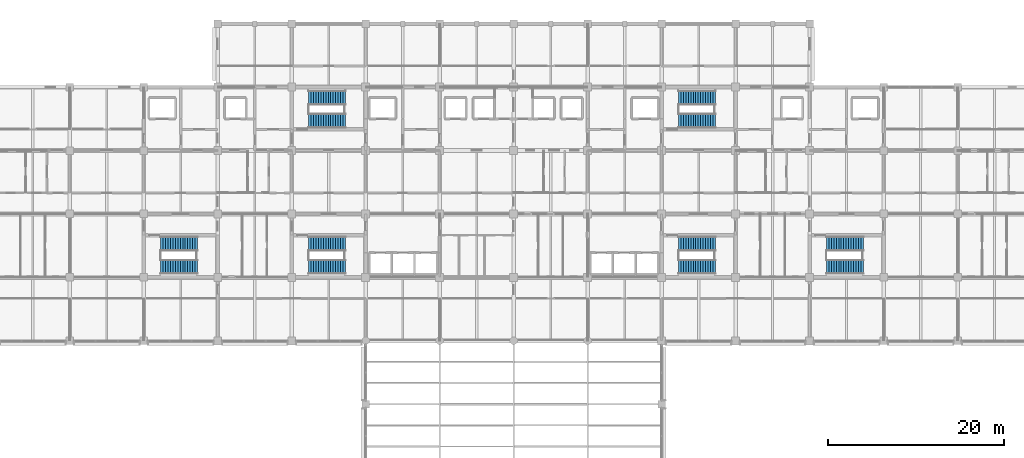
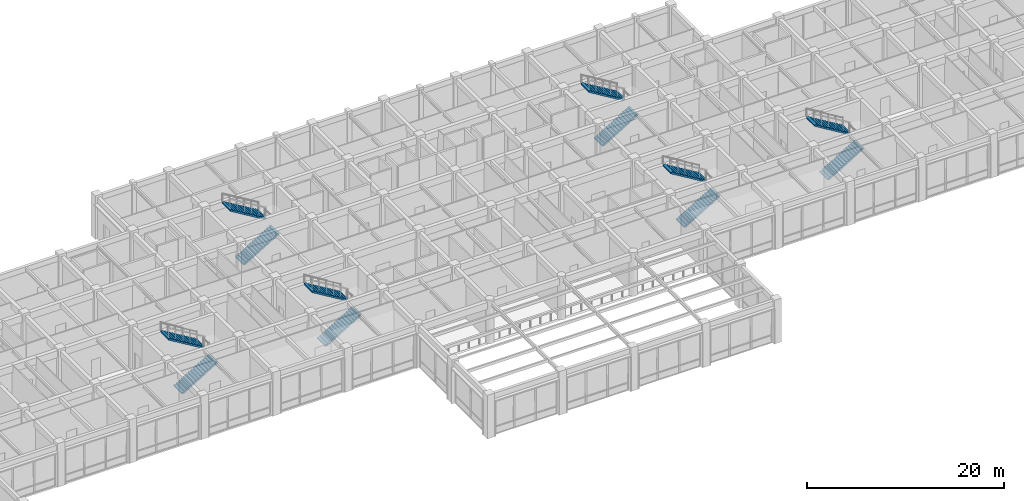
# One storey, part 51 of 58: 12 stair flights, 6 elements without a shape of their own.
"""IFC4 building model written with IfcOpenShell, lengths in metres."""

import ifcopenshell
import ifcopenshell.guid

model = None  # the IFC model being written
_history = None  # IfcOwnerHistory: only IFC2X3 demands one
_inside = {}  # id of a spatial element -> (the spatial element, [elements in it])
_under = {}  # id of a project, library or spatial element -> (it, [spatial elements below it])
_declared = {}  # id of a project -> (the project, [libraries it declares])
_typed = {}  # id of a type object -> (the type object, [elements of that type])
_made_of = {}  # id of a material, layer set ... -> (it, [elements and type objects made of it])


def new_model(schema):
    """Start an empty IFC model of exactly this schema.

    Asked for "IFC4X3", IfcOpenShell would pick the latest addendum, in which some entities
    have other attributes; the version numbers below select the first issue.
    IFC2X3 requires an IfcOwnerHistory on every rooted entity: one is made here for all.
    """
    global model, _history
    if schema == "IFC4X3":
        model = ifcopenshell.file(schema_version=(4, 3, 0, 0))
    else:
        model = ifcopenshell.file(schema=schema)
    _inside.clear()
    _under.clear()
    _declared.clear()
    _typed.clear()
    _made_of.clear()
    _history = None
    if model.schema == "IFC2X3":
        org = make("IfcOrganization", Name="unknown")
        user = make(
            "IfcPersonAndOrganization",
            ThePerson=make("IfcPerson", FamilyName="unknown"),
            TheOrganization=org,
        )
        app = make(
            "IfcApplication",
            ApplicationDeveloper=org,
            Version="unknown",
            ApplicationFullName="unknown",
            ApplicationIdentifier="unknown",
        )
        _history = make(
            "IfcOwnerHistory",
            OwningUser=user,
            OwningApplication=app,
            ChangeAction="ADDED",
            CreationDate=0,
        )
    return model


def make(cls, **values):
    """One entity of the class cls with the attributes given. An attribute that is None is left unset."""
    return model.create_entity(
        cls, **{name: value for name, value in values.items() if value is not None}
    )


def rooted(cls, **values):
    """An entity with a GlobalId (a new one), such as an element, a storey or a relation."""
    return make(cls, GlobalId=ifcopenshell.guid.new(), OwnerHistory=_history, **values)


def si_unit(unit_type, name, prefix=None):
    """IfcSIUnit, for example si_unit("LENGTHUNIT", "METRE", prefix="MILLI")."""
    return make("IfcSIUnit", UnitType=unit_type, Prefix=prefix, Name=name)


def assignment(units):
    """IfcUnitAssignment: the units of a project."""
    return None if units is None else make("IfcUnitAssignment", Units=units)


def point(xyz):
    """IfcCartesianPoint."""
    return None if xyz is None else make("IfcCartesianPoint", Coordinates=xyz)


def direction(xyz):
    """IfcDirection."""
    return None if xyz is None else make("IfcDirection", DirectionRatios=xyz)


def frame(location, z_axis=None, x_axis=None):
    """IfcAxis2Placement3D, a coordinate frame: its origin and axes. An axis left out is left unset."""
    return make(
        "IfcAxis2Placement3D",
        Location=point(location),
        Axis=direction(z_axis),
        RefDirection=direction(x_axis),
    )


def origin():
    """The frame at (0, 0, 0) with its axes left unset."""
    return frame((0.0, 0.0, 0.0))


def place(relative_to, where):
    """IfcLocalPlacement: puts the frame where relative to a parent placement (None: the world)."""
    return make(
        "IfcLocalPlacement", PlacementRelTo=relative_to, RelativePlacement=where
    )


def context(
    kind, dimensions, precision=None, world=None, true_north=None, identifier=None
):
    """IfcGeometricRepresentationContext, for example the 3D "Model" context."""
    return make(
        "IfcGeometricRepresentationContext",
        ContextIdentifier=identifier,
        ContextType=kind,
        CoordinateSpaceDimension=dimensions,
        Precision=precision,
        WorldCoordinateSystem=world,
        TrueNorth=true_north,
    )


def subcontext(parent, identifier, kind, view, scale=None):
    """IfcGeometricRepresentationSubContext, for example "Body" below "Model"."""
    return make(
        "IfcGeometricRepresentationSubContext",
        ContextIdentifier=identifier,
        ContextType=kind,
        ParentContext=parent,
        TargetScale=scale,
        TargetView=view,
    )


def project(units=None, contexts=None):
    """IfcProject with its units and contexts."""
    return rooted(
        "IfcProject",
        Name="project",
        RepresentationContexts=contexts,
        UnitsInContext=assignment(units),
    )


def spatial(cls, under=None, at=None, **own):
    """A site, building, storey or space (cls), placed at a placement, below another one or the project."""
    s = rooted(cls, ObjectPlacement=at, **own)
    if under is not None:
        _under.setdefault(under.id(), (under, []))[1].append(s)
    return s


def polyline(points):
    """IfcPolyline through the points."""
    return make("IfcPolyline", Points=[point(p) for p in points])


def outline(outer, holes=None, kind="AREA"):
    """IfcArbitraryClosedProfileDef: a profile drawn as a closed curve; with holes, ...WithVoids."""
    if holes is None:
        return make("IfcArbitraryClosedProfileDef", ProfileType=kind, OuterCurve=outer)
    return make(
        "IfcArbitraryProfileDefWithVoids",
        ProfileType=kind,
        OuterCurve=outer,
        InnerCurves=holes,
    )


def extrude(swept, where, along, depth):
    """IfcExtrudedAreaSolid: the profile swept, set in the frame where, extruded along a direction by depth."""
    return make(
        "IfcExtrudedAreaSolid",
        SweptArea=swept,
        Position=where,
        ExtrudedDirection=direction(along),
        Depth=depth,
    )


def shape(context_of_items, identifier, shape_type, items):
    """IfcShapeRepresentation: the items that make up one representation, for example the "Body"."""
    return make(
        "IfcShapeRepresentation",
        ContextOfItems=context_of_items,
        RepresentationIdentifier=identifier,
        RepresentationType=shape_type,
        Items=items,
    )


def material(Name=None, Category=None):
    """IfcMaterial."""
    return make("IfcMaterial", Name=Name, Category=Category)


def made_of(thing, what):
    """Note that an element or type object is made of a material, layer set ...; save() writes the relation."""
    if what is not None:
        _made_of.setdefault(what.id(), (what, []))[1].append(thing)
    return thing


def type_object(cls, material=None, **own):
    """A type object (cls), such as IfcWallType, which elements share."""
    return made_of(rooted(cls, **own), material)


def element(
    cls,
    number,
    at=None,
    inside=None,
    cuts=None,
    type_object=None,
    material=None,
    context=None,
    identifier="Body",
    shape_type=None,
    held_by="IfcProductDefinitionShape",
    body=None,
    shapes=None,
    **own,
):
    """One element of the class cls, such as IfcWall. Its Tag is "e" and its number.

    at: its placement. inside: the storey or other place that contains it. cuts: it is an
    opening in that element (IfcRelVoidsElement). A single representation is given by context,
    identifier, shape_type and body (its items); several are given by shapes. held_by: the class
    of the entity that holds the representations. save() writes the other relations.
    """
    e = rooted(cls, Tag="e%d" % number, ObjectPlacement=at, **own)
    if body is not None:
        shapes = [shape(context, identifier, shape_type, body)]
    if shapes is not None:
        e.Representation = make(held_by, Representations=shapes)
    if inside is not None:
        _inside.setdefault(inside.id(), (inside, []))[1].append(e)
    if cuts is not None:
        rooted(
            "IfcRelVoidsElement", RelatingBuildingElement=cuts, RelatedOpeningElement=e
        )
    if type_object is not None:
        _typed.setdefault(type_object.id(), (type_object, []))[1].append(e)
    return made_of(e, material)


def aggregate(whole, parts):
    """IfcRelAggregates: a whole, such as a stair, and the parts it consists of."""
    return rooted("IfcRelAggregates", RelatingObject=whole, RelatedObjects=parts)


def save(model, path):
    """Write the relations noted so far, then the file.

    IfcRelAggregates (storeys below a building ...), IfcRelContainedInSpatialStructure (elements
    in a storey), IfcRelDefinesByType, IfcRelAssociatesMaterial and IfcRelDeclares: one each for
    every whole, place, type object, material and project.
    """
    for whole, parts in _under.values():
        aggregate(whole, parts)
    for where, things in _inside.values():
        rooted(
            "IfcRelContainedInSpatialStructure",
            RelatedElements=things,
            RelatingStructure=where,
        )
    for kind, things in _typed.values():
        rooted("IfcRelDefinesByType", RelatedObjects=things, RelatingType=kind)
    for what, things in _made_of.values():
        rooted("IfcRelAssociatesMaterial", RelatedObjects=things, RelatingMaterial=what)
    for by, libraries in _declared.values():
        rooted("IfcRelDeclares", RelatingContext=by, RelatedDefinitions=libraries)
    model.write(path)


model = new_model("IFC4")

# Units and contexts
model_context = context("Model", 3, precision=1e-05, world=origin(), true_north=direction((0.0, 1.0)))
body_context = subcontext(model_context, "Body", "Model", "MODEL_VIEW")
ifc_project = project(units=[si_unit("LENGTHUNIT", "METRE"), si_unit("AREAUNIT", "SQUARE_METRE"), si_unit("VOLUMEUNIT", "CUBIC_METRE"), si_unit("PLANEANGLEUNIT", "RADIAN"), si_unit("MASSUNIT", "GRAM", prefix="KILO")], contexts=[model_context])

# Site, building, storey
site_placement = place(None, origin())
site = spatial("IfcSite", under=ifc_project, at=site_placement, CompositionType="ELEMENT")
building_placement = place(site_placement, origin())
building = spatial("IfcBuilding", under=site, at=building_placement, Name="Chengyuan Square Courthouse", CompositionType="ELEMENT")
storey_placement = place(building_placement, frame((0.0, 0.0, 16.199951171875)))
storey = spatial("IfcBuildingStorey", under=building, at=storey_placement, Name="L04", CompositionType="ELEMENT", Elevation=16.199951171875)

# Stair, stair flights
ifc_material = material(Name="Concrete C40", Category="concrete")
stair_type_1 = type_object("IfcStairType", Name="ST-TYPE-01", PredefinedType="HALF_TURN_STAIR", material=ifc_material)
stair_1_placement = place(storey_placement, origin())
stair_1 = element("IfcStair", 1, at=stair_1_placement, inside=storey, type_object=stair_type_1, Name="Smoke-Proof Exit Stair ST-1 (L04 to L05)", PredefinedType="HALF_TURN_STAIR")
stair_flight_type_1 = type_object("IfcStairFlightType", Name="STF-TYPE-01", PredefinedType="STRAIGHT", material=ifc_material)
stair_flight_1_placement = place(storey_placement, frame((60.7099609375, 104.175048828125, 0.0), z_axis=(0.0, 0.0, 1.0), x_axis=(1.0, 0.0, 0.0)))
stair_flight_1 = element("IfcStairFlight", 2, at=stair_flight_1_placement, type_object=stair_flight_type_1, Name="ST-1 flight 1", NumberOfRisers=16, NumberOfTreads=15, PredefinedType="STRAIGHT", RiserHeight=0.16875, TreadLength=0.28, context=body_context, shape_type="SweptSolid", body=[
    extrude(outline(polyline([(0.0, 0.0), (0.0, 0.168701171875), (0.280029296875, 0.168701171875), (0.280029296875, 0.33740234375), (0.56005859375, 0.33740234375), (0.56005859375, 0.50634765625), (0.840087890625, 0.50634765625), (0.840087890625, 0.675048828125), (1.1201171875, 0.675048828125), (1.1201171875, 0.84375), (1.39990234375, 0.84375), (1.39990234375, 1.012451171875), (1.679931640625, 1.012451171875), (1.679931640625, 1.18115234375), (1.9599609375, 1.18115234375), (1.9599609375, 1.35009765625), (2.239990234375, 1.35009765625), (2.239990234375, 1.518798828125), (2.52001953125, 1.518798828125), (2.52001953125, 1.6875), (2.800048828125, 1.6875), (2.800048828125, 1.856201171875), (3.080078125, 1.856201171875), (3.080078125, 2.02490234375), (3.360107421875, 2.02490234375), (3.360107421875, 2.19384765625), (3.639892578125, 2.19384765625), (3.639892578125, 2.362548828125), (3.919921875, 2.362548828125), (3.919921875, 2.53125), (4.199951171875, 2.53125), (4.199951171875, 2.699951171875), (4.199951171875, 2.356201171875), (0.29052734375, 0.0), (0.0, 0.0)])), frame((0.0, 0.824951171875, 0.0), z_axis=(0.0, -1.0, 0.0), x_axis=(1.0, 0.0, 0.0)), (0.0, 0.0, 1.0), 1.64990234375),
])
stair_flight_2_placement = place(storey_placement, frame((64.909912109375, 106.824951171875, 2.699951171875), z_axis=(0.0, 0.0, 1.0), x_axis=(-1.0, 0.0, 0.0)))
stair_flight_2 = element("IfcStairFlight", 3, at=stair_flight_2_placement, type_object=stair_flight_type_1, Name="ST-1 flight 2", NumberOfRisers=16, NumberOfTreads=15, PredefinedType="STRAIGHT", RiserHeight=0.16875, TreadLength=0.28, context=body_context, shape_type="SweptSolid", body=[
    extrude(outline(polyline([(0.0, 0.0), (0.0, 0.168701171875), (0.280029296875, 0.168701171875), (0.280029296875, 0.33740234375), (0.56005859375, 0.33740234375), (0.56005859375, 0.50634765625), (0.840087890625, 0.50634765625), (0.840087890625, 0.675048828125), (1.1201171875, 0.675048828125), (1.1201171875, 0.84375), (1.39990234375, 0.84375), (1.39990234375, 1.012451171875), (1.679931640625, 1.012451171875), (1.679931640625, 1.18115234375), (1.9599609375, 1.18115234375), (1.9599609375, 1.35009765625), (2.239990234375, 1.35009765625), (2.239990234375, 1.518798828125), (2.52001953125, 1.518798828125), (2.52001953125, 1.6875), (2.800048828125, 1.6875), (2.800048828125, 1.856201171875), (3.080078125, 1.856201171875), (3.080078125, 2.02490234375), (3.360107421875, 2.02490234375), (3.360107421875, 2.19384765625), (3.639892578125, 2.19384765625), (3.639892578125, 2.362548828125), (3.919921875, 2.362548828125), (3.919921875, 2.53125), (4.199951171875, 2.53125), (4.199951171875, 2.699951171875), (4.199951171875, 2.356201171875), (0.29052734375, 0.0), (0.0, 0.0)])), frame((0.0, 0.824951171875, 0.0), z_axis=(0.0, -1.0, 0.0), x_axis=(1.0, 0.0, 0.0)), (0.0, 0.0, 1.0), 1.64990234375),
])
aggregate(stair_1, [stair_flight_1, stair_flight_2])

stair_type_2 = type_object("IfcStairType", Name="ST-TYPE-02", PredefinedType="HALF_TURN_STAIR", material=ifc_material)
stair_2_placement = place(storey_placement, origin())
stair_2 = element("IfcStair", 4, at=stair_2_placement, inside=storey, type_object=stair_type_2, Name="Smoke-Proof Exit Stair ST-2 (L04 to L05)", PredefinedType="HALF_TURN_STAIR")
stair_flight_type_2 = type_object("IfcStairFlightType", Name="STF-TYPE-02", PredefinedType="STRAIGHT", material=ifc_material)
stair_flight_3_placement = place(storey_placement, frame((102.7099609375, 104.175048828125, 0.0), z_axis=(0.0, 0.0, 1.0), x_axis=(1.0, 0.0, 0.0)))
stair_flight_3 = element("IfcStairFlight", 5, at=stair_flight_3_placement, type_object=stair_flight_type_2, Name="ST-2 flight 1", NumberOfRisers=16, NumberOfTreads=15, PredefinedType="STRAIGHT", RiserHeight=0.16875, TreadLength=0.28, context=body_context, shape_type="SweptSolid", body=[
    extrude(outline(polyline([(0.0, 0.0), (0.0, 0.168701171875), (0.280029296875, 0.168701171875), (0.280029296875, 0.33740234375), (0.56005859375, 0.33740234375), (0.56005859375, 0.50634765625), (0.840087890625, 0.50634765625), (0.840087890625, 0.675048828125), (1.1201171875, 0.675048828125), (1.1201171875, 0.84375), (1.39990234375, 0.84375), (1.39990234375, 1.012451171875), (1.679931640625, 1.012451171875), (1.679931640625, 1.18115234375), (1.9599609375, 1.18115234375), (1.9599609375, 1.35009765625), (2.239990234375, 1.35009765625), (2.239990234375, 1.518798828125), (2.52001953125, 1.518798828125), (2.52001953125, 1.6875), (2.800048828125, 1.6875), (2.800048828125, 1.856201171875), (3.080078125, 1.856201171875), (3.080078125, 2.02490234375), (3.360107421875, 2.02490234375), (3.360107421875, 2.19384765625), (3.639892578125, 2.19384765625), (3.639892578125, 2.362548828125), (3.919921875, 2.362548828125), (3.919921875, 2.53125), (4.199951171875, 2.53125), (4.199951171875, 2.699951171875), (4.199951171875, 2.356201171875), (0.29052734375, 0.0), (0.0, 0.0)])), frame((0.0, 0.824951171875, 0.0), z_axis=(0.0, -1.0, 0.0), x_axis=(1.0, 0.0, 0.0)), (0.0, 0.0, 1.0), 1.64990234375),
])
stair_flight_4_placement = place(storey_placement, frame((106.909912109375, 106.824951171875, 2.699951171875), z_axis=(0.0, 0.0, 1.0), x_axis=(-1.0, 0.0, 0.0)))
stair_flight_4 = element("IfcStairFlight", 6, at=stair_flight_4_placement, type_object=stair_flight_type_2, Name="ST-2 flight 2", NumberOfRisers=16, NumberOfTreads=15, PredefinedType="STRAIGHT", RiserHeight=0.16875, TreadLength=0.28, context=body_context, shape_type="SweptSolid", body=[
    extrude(outline(polyline([(0.0, 0.0), (0.0, 0.168701171875), (0.280029296875, 0.168701171875), (0.280029296875, 0.33740234375), (0.56005859375, 0.33740234375), (0.56005859375, 0.50634765625), (0.840087890625, 0.50634765625), (0.840087890625, 0.675048828125), (1.1201171875, 0.675048828125), (1.1201171875, 0.84375), (1.39990234375, 0.84375), (1.39990234375, 1.012451171875), (1.679931640625, 1.012451171875), (1.679931640625, 1.18115234375), (1.9599609375, 1.18115234375), (1.9599609375, 1.35009765625), (2.239990234375, 1.35009765625), (2.239990234375, 1.518798828125), (2.52001953125, 1.518798828125), (2.52001953125, 1.6875), (2.800048828125, 1.6875), (2.800048828125, 1.856201171875), (3.080078125, 1.856201171875), (3.080078125, 2.02490234375), (3.360107421875, 2.02490234375), (3.360107421875, 2.19384765625), (3.639892578125, 2.19384765625), (3.639892578125, 2.362548828125), (3.919921875, 2.362548828125), (3.919921875, 2.53125), (4.199951171875, 2.53125), (4.199951171875, 2.699951171875), (4.199951171875, 2.356201171875), (0.29052734375, 0.0), (0.0, 0.0)])), frame((0.0, 0.824951171875, 0.0), z_axis=(0.0, -1.0, 0.0), x_axis=(1.0, 0.0, 0.0)), (0.0, 0.0, 1.0), 1.64990234375),
])
aggregate(stair_2, [stair_flight_3, stair_flight_4])

stair_type_3 = type_object("IfcStairType", Name="ST-TYPE-03", PredefinedType="HALF_TURN_STAIR", material=ifc_material)
stair_3_placement = place(storey_placement, origin())
stair_3 = element("IfcStair", 7, at=stair_3_placement, inside=storey, type_object=stair_type_3, Name="Smoke-Proof Exit Stair ST-3 (L04 to L05)", PredefinedType="HALF_TURN_STAIR")
stair_flight_type_3 = type_object("IfcStairFlightType", Name="STF-TYPE-03", PredefinedType="STRAIGHT", material=ifc_material)
stair_flight_5_placement = place(storey_placement, frame((60.7099609375, 87.574951171875, 0.0), z_axis=(0.0, 0.0, 1.0), x_axis=(1.0, 0.0, 0.0)))
stair_flight_5 = element("IfcStairFlight", 8, at=stair_flight_5_placement, type_object=stair_flight_type_3, Name="ST-3 flight 1", NumberOfRisers=16, NumberOfTreads=15, PredefinedType="STRAIGHT", RiserHeight=0.16875, TreadLength=0.28, context=body_context, shape_type="SweptSolid", body=[
    extrude(outline(polyline([(0.0, 0.0), (0.0, 0.168701171875), (0.280029296875, 0.168701171875), (0.280029296875, 0.33740234375), (0.56005859375, 0.33740234375), (0.56005859375, 0.50634765625), (0.840087890625, 0.50634765625), (0.840087890625, 0.675048828125), (1.1201171875, 0.675048828125), (1.1201171875, 0.84375), (1.39990234375, 0.84375), (1.39990234375, 1.012451171875), (1.679931640625, 1.012451171875), (1.679931640625, 1.18115234375), (1.9599609375, 1.18115234375), (1.9599609375, 1.35009765625), (2.239990234375, 1.35009765625), (2.239990234375, 1.518798828125), (2.52001953125, 1.518798828125), (2.52001953125, 1.6875), (2.800048828125, 1.6875), (2.800048828125, 1.856201171875), (3.080078125, 1.856201171875), (3.080078125, 2.02490234375), (3.360107421875, 2.02490234375), (3.360107421875, 2.19384765625), (3.639892578125, 2.19384765625), (3.639892578125, 2.362548828125), (3.919921875, 2.362548828125), (3.919921875, 2.53125), (4.199951171875, 2.53125), (4.199951171875, 2.699951171875), (4.199951171875, 2.356201171875), (0.29052734375, 0.0), (0.0, 0.0)])), frame((0.0, 0.824951171875, 0.0), z_axis=(0.0, -1.0, 0.0), x_axis=(1.0, 0.0, 0.0)), (0.0, 0.0, 1.0), 1.64990234375),
])
stair_flight_6_placement = place(storey_placement, frame((64.909912109375, 90.22509765625, 2.699951171875), z_axis=(0.0, 0.0, 1.0), x_axis=(-1.0, 0.0, 0.0)))
stair_flight_6 = element("IfcStairFlight", 9, at=stair_flight_6_placement, type_object=stair_flight_type_3, Name="ST-3 flight 2", NumberOfRisers=16, NumberOfTreads=15, PredefinedType="STRAIGHT", RiserHeight=0.16875, TreadLength=0.28, context=body_context, shape_type="SweptSolid", body=[
    extrude(outline(polyline([(0.0, 0.0), (0.0, 0.168701171875), (0.280029296875, 0.168701171875), (0.280029296875, 0.33740234375), (0.56005859375, 0.33740234375), (0.56005859375, 0.50634765625), (0.840087890625, 0.50634765625), (0.840087890625, 0.675048828125), (1.1201171875, 0.675048828125), (1.1201171875, 0.84375), (1.39990234375, 0.84375), (1.39990234375, 1.012451171875), (1.679931640625, 1.012451171875), (1.679931640625, 1.18115234375), (1.9599609375, 1.18115234375), (1.9599609375, 1.35009765625), (2.239990234375, 1.35009765625), (2.239990234375, 1.518798828125), (2.52001953125, 1.518798828125), (2.52001953125, 1.6875), (2.800048828125, 1.6875), (2.800048828125, 1.856201171875), (3.080078125, 1.856201171875), (3.080078125, 2.02490234375), (3.360107421875, 2.02490234375), (3.360107421875, 2.19384765625), (3.639892578125, 2.19384765625), (3.639892578125, 2.362548828125), (3.919921875, 2.362548828125), (3.919921875, 2.53125), (4.199951171875, 2.53125), (4.199951171875, 2.699951171875), (4.199951171875, 2.356201171875), (0.29052734375, 0.0), (0.0, 0.0)])), frame((0.0, 0.824951171875, 0.0), z_axis=(0.0, -1.0, 0.0), x_axis=(1.0, 0.0, 0.0)), (0.0, 0.0, 1.0), 1.64990234375),
])
aggregate(stair_3, [stair_flight_5, stair_flight_6])

stair_type_4 = type_object("IfcStairType", Name="ST-TYPE-04", PredefinedType="HALF_TURN_STAIR", material=ifc_material)
stair_4_placement = place(storey_placement, origin())
stair_4 = element("IfcStair", 10, at=stair_4_placement, inside=storey, type_object=stair_type_4, Name="Smoke-Proof Exit Stair ST-4 (L04 to L05)", PredefinedType="HALF_TURN_STAIR")
stair_flight_type_4 = type_object("IfcStairFlightType", Name="STF-TYPE-04", PredefinedType="STRAIGHT", material=ifc_material)
stair_flight_7_placement = place(storey_placement, frame((102.7099609375, 87.574951171875, 0.0), z_axis=(0.0, 0.0, 1.0), x_axis=(1.0, 0.0, 0.0)))
stair_flight_7 = element("IfcStairFlight", 11, at=stair_flight_7_placement, type_object=stair_flight_type_4, Name="ST-4 flight 1", NumberOfRisers=16, NumberOfTreads=15, PredefinedType="STRAIGHT", RiserHeight=0.16875, TreadLength=0.28, context=body_context, shape_type="SweptSolid", body=[
    extrude(outline(polyline([(0.0, 0.0), (0.0, 0.168701171875), (0.280029296875, 0.168701171875), (0.280029296875, 0.33740234375), (0.56005859375, 0.33740234375), (0.56005859375, 0.50634765625), (0.840087890625, 0.50634765625), (0.840087890625, 0.675048828125), (1.1201171875, 0.675048828125), (1.1201171875, 0.84375), (1.39990234375, 0.84375), (1.39990234375, 1.012451171875), (1.679931640625, 1.012451171875), (1.679931640625, 1.18115234375), (1.9599609375, 1.18115234375), (1.9599609375, 1.35009765625), (2.239990234375, 1.35009765625), (2.239990234375, 1.518798828125), (2.52001953125, 1.518798828125), (2.52001953125, 1.6875), (2.800048828125, 1.6875), (2.800048828125, 1.856201171875), (3.080078125, 1.856201171875), (3.080078125, 2.02490234375), (3.360107421875, 2.02490234375), (3.360107421875, 2.19384765625), (3.639892578125, 2.19384765625), (3.639892578125, 2.362548828125), (3.919921875, 2.362548828125), (3.919921875, 2.53125), (4.199951171875, 2.53125), (4.199951171875, 2.699951171875), (4.199951171875, 2.356201171875), (0.29052734375, 0.0), (0.0, 0.0)])), frame((0.0, 0.824951171875, 0.0), z_axis=(0.0, -1.0, 0.0), x_axis=(1.0, 0.0, 0.0)), (0.0, 0.0, 1.0), 1.64990234375),
])
stair_flight_8_placement = place(storey_placement, frame((106.909912109375, 90.22509765625, 2.699951171875), z_axis=(0.0, 0.0, 1.0), x_axis=(-1.0, 0.0, 0.0)))
stair_flight_8 = element("IfcStairFlight", 12, at=stair_flight_8_placement, type_object=stair_flight_type_4, Name="ST-4 flight 2", NumberOfRisers=16, NumberOfTreads=15, PredefinedType="STRAIGHT", RiserHeight=0.16875, TreadLength=0.28, context=body_context, shape_type="SweptSolid", body=[
    extrude(outline(polyline([(0.0, 0.0), (0.0, 0.168701171875), (0.280029296875, 0.168701171875), (0.280029296875, 0.33740234375), (0.56005859375, 0.33740234375), (0.56005859375, 0.50634765625), (0.840087890625, 0.50634765625), (0.840087890625, 0.675048828125), (1.1201171875, 0.675048828125), (1.1201171875, 0.84375), (1.39990234375, 0.84375), (1.39990234375, 1.012451171875), (1.679931640625, 1.012451171875), (1.679931640625, 1.18115234375), (1.9599609375, 1.18115234375), (1.9599609375, 1.35009765625), (2.239990234375, 1.35009765625), (2.239990234375, 1.518798828125), (2.52001953125, 1.518798828125), (2.52001953125, 1.6875), (2.800048828125, 1.6875), (2.800048828125, 1.856201171875), (3.080078125, 1.856201171875), (3.080078125, 2.02490234375), (3.360107421875, 2.02490234375), (3.360107421875, 2.19384765625), (3.639892578125, 2.19384765625), (3.639892578125, 2.362548828125), (3.919921875, 2.362548828125), (3.919921875, 2.53125), (4.199951171875, 2.53125), (4.199951171875, 2.699951171875), (4.199951171875, 2.356201171875), (0.29052734375, 0.0), (0.0, 0.0)])), frame((0.0, 0.824951171875, 0.0), z_axis=(0.0, -1.0, 0.0), x_axis=(1.0, 0.0, 0.0)), (0.0, 0.0, 1.0), 1.64990234375),
])
aggregate(stair_4, [stair_flight_7, stair_flight_8])

stair_type_5 = type_object("IfcStairType", Name="ST-TYPE-05", PredefinedType="HALF_TURN_STAIR", material=ifc_material)
stair_5_placement = place(storey_placement, origin())
stair_5 = element("IfcStair", 13, at=stair_5_placement, inside=storey, type_object=stair_type_5, Name="Smoke-Proof Exit Stair ST-5 (L04 to L05)", PredefinedType="HALF_TURN_STAIR")
stair_flight_type_5 = type_object("IfcStairFlightType", Name="STF-TYPE-05", PredefinedType="STRAIGHT", material=ifc_material)
stair_flight_9_placement = place(storey_placement, frame((43.909912109375, 87.574951171875, 0.0), z_axis=(0.0, 0.0, 1.0), x_axis=(1.0, 0.0, 0.0)))
stair_flight_9 = element("IfcStairFlight", 14, at=stair_flight_9_placement, type_object=stair_flight_type_5, Name="ST-5 flight 1", NumberOfRisers=16, NumberOfTreads=15, PredefinedType="STRAIGHT", RiserHeight=0.16875, TreadLength=0.28, context=body_context, shape_type="SweptSolid", body=[
    extrude(outline(polyline([(0.0, 0.0), (0.0, 0.168701171875), (0.280029296875, 0.168701171875), (0.280029296875, 0.33740234375), (0.56005859375, 0.33740234375), (0.56005859375, 0.50634765625), (0.840087890625, 0.50634765625), (0.840087890625, 0.675048828125), (1.1201171875, 0.675048828125), (1.1201171875, 0.84375), (1.39990234375, 0.84375), (1.39990234375, 1.012451171875), (1.679931640625, 1.012451171875), (1.679931640625, 1.18115234375), (1.9599609375, 1.18115234375), (1.9599609375, 1.35009765625), (2.239990234375, 1.35009765625), (2.239990234375, 1.518798828125), (2.52001953125, 1.518798828125), (2.52001953125, 1.6875), (2.800048828125, 1.6875), (2.800048828125, 1.856201171875), (3.080078125, 1.856201171875), (3.080078125, 2.02490234375), (3.360107421875, 2.02490234375), (3.360107421875, 2.19384765625), (3.639892578125, 2.19384765625), (3.639892578125, 2.362548828125), (3.919921875, 2.362548828125), (3.919921875, 2.53125), (4.199951171875, 2.53125), (4.199951171875, 2.699951171875), (4.199951171875, 2.356201171875), (0.29052734375, 0.0), (0.0, 0.0)])), frame((0.0, 0.824951171875, 0.0), z_axis=(0.0, -1.0, 0.0), x_axis=(1.0, 0.0, 0.0)), (0.0, 0.0, 1.0), 1.64990234375),
])
stair_flight_10_placement = place(storey_placement, frame((48.110107421875, 90.22509765625, 2.699951171875), z_axis=(0.0, 0.0, 1.0), x_axis=(-1.0, 0.0, 0.0)))
stair_flight_10 = element("IfcStairFlight", 15, at=stair_flight_10_placement, type_object=stair_flight_type_5, Name="ST-5 flight 2", NumberOfRisers=16, NumberOfTreads=15, PredefinedType="STRAIGHT", RiserHeight=0.16875, TreadLength=0.28, context=body_context, shape_type="SweptSolid", body=[
    extrude(outline(polyline([(0.0, 0.0), (0.0, 0.168701171875), (0.280029296875, 0.168701171875), (0.280029296875, 0.33740234375), (0.56005859375, 0.33740234375), (0.56005859375, 0.50634765625), (0.840087890625, 0.50634765625), (0.840087890625, 0.675048828125), (1.1201171875, 0.675048828125), (1.1201171875, 0.84375), (1.39990234375, 0.84375), (1.39990234375, 1.012451171875), (1.679931640625, 1.012451171875), (1.679931640625, 1.18115234375), (1.9599609375, 1.18115234375), (1.9599609375, 1.35009765625), (2.239990234375, 1.35009765625), (2.239990234375, 1.518798828125), (2.52001953125, 1.518798828125), (2.52001953125, 1.6875), (2.800048828125, 1.6875), (2.800048828125, 1.856201171875), (3.080078125, 1.856201171875), (3.080078125, 2.02490234375), (3.360107421875, 2.02490234375), (3.360107421875, 2.19384765625), (3.639892578125, 2.19384765625), (3.639892578125, 2.362548828125), (3.919921875, 2.362548828125), (3.919921875, 2.53125), (4.199951171875, 2.53125), (4.199951171875, 2.699951171875), (4.199951171875, 2.356201171875), (0.29052734375, 0.0), (0.0, 0.0)])), frame((0.0, 0.824951171875, 0.0), z_axis=(0.0, -1.0, 0.0), x_axis=(1.0, 0.0, 0.0)), (0.0, 0.0, 1.0), 1.64990234375),
])
aggregate(stair_5, [stair_flight_9, stair_flight_10])

stair_type_6 = type_object("IfcStairType", Name="ST-TYPE-06", PredefinedType="HALF_TURN_STAIR", material=ifc_material)
stair_6_placement = place(storey_placement, origin())
stair_6 = element("IfcStair", 16, at=stair_6_placement, inside=storey, type_object=stair_type_6, Name="Smoke-Proof Exit Stair ST-6 (L04 to L05)", PredefinedType="HALF_TURN_STAIR")
stair_flight_type_6 = type_object("IfcStairFlightType", Name="STF-TYPE-06", PredefinedType="STRAIGHT", material=ifc_material)
stair_flight_11_placement = place(storey_placement, frame((119.510009765625, 87.574951171875, 0.0), z_axis=(0.0, 0.0, 1.0), x_axis=(1.0, 0.0, 0.0)))
stair_flight_11 = element("IfcStairFlight", 17, at=stair_flight_11_placement, type_object=stair_flight_type_6, Name="ST-6 flight 1", NumberOfRisers=16, NumberOfTreads=15, PredefinedType="STRAIGHT", RiserHeight=0.16875, TreadLength=0.28, context=body_context, shape_type="SweptSolid", body=[
    extrude(outline(polyline([(0.0, 0.0), (0.0, 0.168701171875), (0.280029296875, 0.168701171875), (0.280029296875, 0.33740234375), (0.56005859375, 0.33740234375), (0.56005859375, 0.50634765625), (0.840087890625, 0.50634765625), (0.840087890625, 0.675048828125), (1.1201171875, 0.675048828125), (1.1201171875, 0.84375), (1.39990234375, 0.84375), (1.39990234375, 1.012451171875), (1.679931640625, 1.012451171875), (1.679931640625, 1.18115234375), (1.9599609375, 1.18115234375), (1.9599609375, 1.35009765625), (2.239990234375, 1.35009765625), (2.239990234375, 1.518798828125), (2.52001953125, 1.518798828125), (2.52001953125, 1.6875), (2.800048828125, 1.6875), (2.800048828125, 1.856201171875), (3.080078125, 1.856201171875), (3.080078125, 2.02490234375), (3.360107421875, 2.02490234375), (3.360107421875, 2.19384765625), (3.639892578125, 2.19384765625), (3.639892578125, 2.362548828125), (3.919921875, 2.362548828125), (3.919921875, 2.53125), (4.199951171875, 2.53125), (4.199951171875, 2.699951171875), (4.199951171875, 2.356201171875), (0.29052734375, 0.0), (0.0, 0.0)])), frame((0.0, 0.824951171875, 0.0), z_axis=(0.0, -1.0, 0.0), x_axis=(1.0, 0.0, 0.0)), (0.0, 0.0, 1.0), 1.64990234375),
])
stair_flight_12_placement = place(storey_placement, frame((123.7099609375, 90.22509765625, 2.699951171875), z_axis=(0.0, 0.0, 1.0), x_axis=(-1.0, 0.0, 0.0)))
stair_flight_12 = element("IfcStairFlight", 18, at=stair_flight_12_placement, type_object=stair_flight_type_6, Name="ST-6 flight 2", NumberOfRisers=16, NumberOfTreads=15, PredefinedType="STRAIGHT", RiserHeight=0.16875, TreadLength=0.28, context=body_context, shape_type="SweptSolid", body=[
    extrude(outline(polyline([(0.0, 0.0), (0.0, 0.168701171875), (0.280029296875, 0.168701171875), (0.280029296875, 0.33740234375), (0.56005859375, 0.33740234375), (0.56005859375, 0.50634765625), (0.840087890625, 0.50634765625), (0.840087890625, 0.675048828125), (1.1201171875, 0.675048828125), (1.1201171875, 0.84375), (1.39990234375, 0.84375), (1.39990234375, 1.012451171875), (1.679931640625, 1.012451171875), (1.679931640625, 1.18115234375), (1.9599609375, 1.18115234375), (1.9599609375, 1.35009765625), (2.239990234375, 1.35009765625), (2.239990234375, 1.518798828125), (2.52001953125, 1.518798828125), (2.52001953125, 1.6875), (2.800048828125, 1.6875), (2.800048828125, 1.856201171875), (3.080078125, 1.856201171875), (3.080078125, 2.02490234375), (3.360107421875, 2.02490234375), (3.360107421875, 2.19384765625), (3.639892578125, 2.19384765625), (3.639892578125, 2.362548828125), (3.919921875, 2.362548828125), (3.919921875, 2.53125), (4.199951171875, 2.53125), (4.199951171875, 2.699951171875), (4.199951171875, 2.356201171875), (0.29052734375, 0.0), (0.0, 0.0)])), frame((0.0, 0.824951171875, 0.0), z_axis=(0.0, -1.0, 0.0), x_axis=(1.0, 0.0, 0.0)), (0.0, 0.0, 1.0), 1.64990234375),
])
aggregate(stair_6, [stair_flight_11, stair_flight_12])

save(model, "model.ifc")
